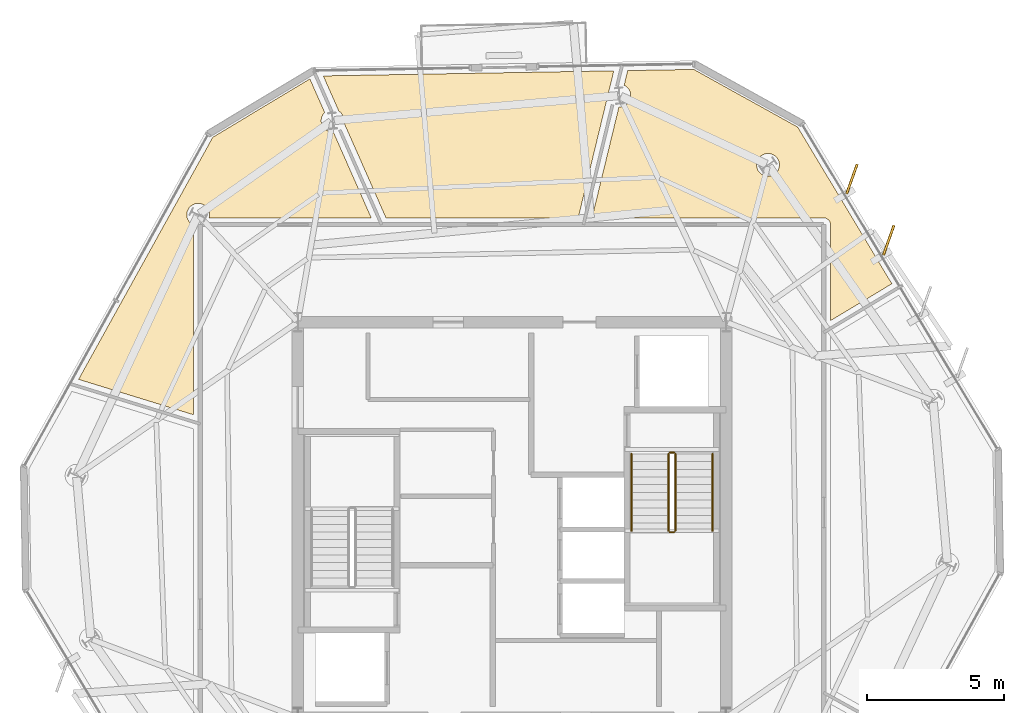
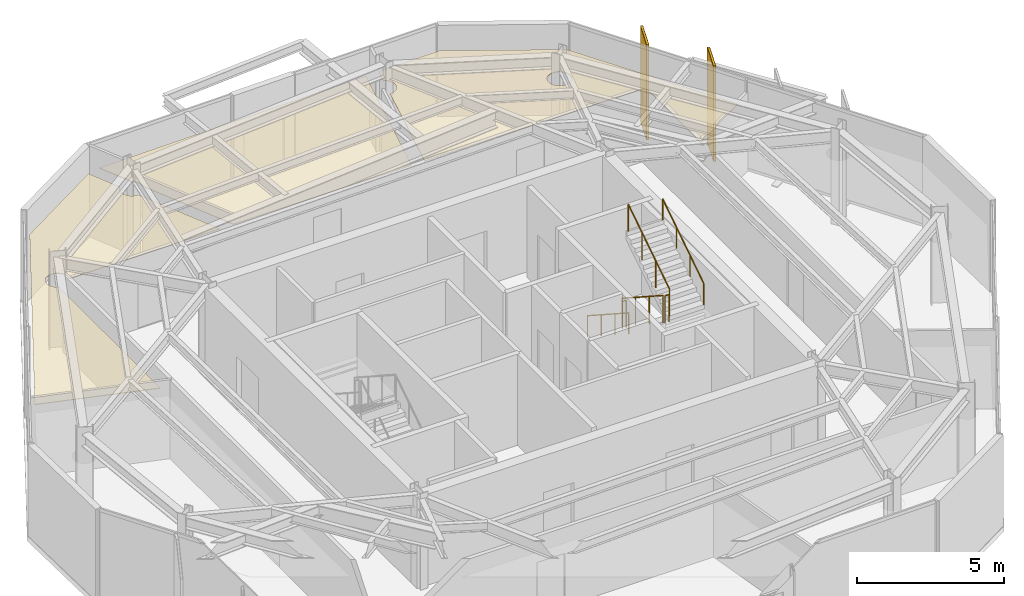
# One storey, part 11 of 12: 6 railings, 5 coverings, 2 shading devices.
"""IFC4 building model written with IfcOpenShell, lengths in metres."""

from ifc_helpers import new_model, si_unit, direction, frame, origin, origin_2d, place, context, subcontext, project, spatial, polyline, rectangle, circle, outline, extrude, material, layer, layer_set, type_object, element, save


model = new_model("IFC4")

# Units and contexts
model_context = context("Model", 3, precision=1e-05, world=origin(), true_north=direction((0.0, 1.0)))
body_context = subcontext(model_context, "Body", "Model", "MODEL_VIEW")
ifc_project = project(units=[si_unit("LENGTHUNIT", "METRE"), si_unit("AREAUNIT", "SQUARE_METRE"), si_unit("VOLUMEUNIT", "CUBIC_METRE"), si_unit("PLANEANGLEUNIT", "RADIAN"), si_unit("MASSUNIT", "GRAM", prefix="KILO")], contexts=[model_context])

# Site, building, storey
site_placement = place(None, origin())
site = spatial("IfcSite", under=ifc_project, at=site_placement, CompositionType="ELEMENT")
building_placement = place(site_placement, origin())
building = spatial("IfcBuilding", under=site, at=building_placement, Name="Kranzbogen Civic Tower", CompositionType="ELEMENT")
storey_placement = place(building_placement, frame((0.0, 0.0, 270.199951171875)))
storey = spatial("IfcBuildingStorey", under=building, at=storey_placement, Name="L65", CompositionType="ELEMENT", Elevation=270.199951171875)

# Coverings
ifc_material_1 = material(Name="Pale Anodised Aluminium", Category="aluminium")
ifc_layer_1 = layer(ifc_material_1, 0.02490234375, Name="Pale Anodised Aluminium")
ifc_layer_set_1 = layer_set([ifc_layer_1], Name="Pale Anodised Aluminium")
covering_type_1 = type_object("IfcCoveringType", Name="Anodised Aluminium Vertical Fin Cladding 25 mm", PredefinedType="CLADDING", material=ifc_layer_set_1)
for number, where, z_axis, x_axis, name in (
    (1, (38.716064453125, 35.18408203125, -0.139892578125), (0.0, 0.0, 1.0), (0.334596447491, 0.942361510953, 0.0), "L65 vertical fin pale-metal cladding F6-3"),
    (2, (37.376953125, 37.4130859375, -0.139892578125), (0.0, 0.0, 1.0), (0.334596447491, 0.942361510953, 0.0), "L65 vertical fin pale-metal cladding F6-4"),
):
    element("IfcCovering", number, at=place(storey_placement, frame(where, z_axis=z_axis, x_axis=x_axis)), inside=storey, type_object=covering_type_1, Name=name, PredefinedType="CLADDING", context=body_context, shape_type="SweptSolid", body=[
        extrude(rectangle(XDim=1.14990234375, YDim=0.094970703125, at=origin_2d()), origin(), (0.0, 0.0, 1.0), 3.9599609375),
    ])

# Railings
ifc_material_2 = material(Name="Steel S355", Category="steel")
railing_type_1 = type_object("IfcRailingType", Name="Internal Stair and Void Steel Guardrail 1150", PredefinedType="GUARDRAIL", material=ifc_material_2)
railing_1_placement = place(storey_placement, frame((30.699951171875, 27.39990234375, 0.181884765625)))
element("IfcRailing", 3, at=railing_1_placement, inside=storey, type_object=railing_type_1, Name="L65 ST-T2 stair guard 1", PredefinedType="GUARDRAIL", context=body_context, shape_type="SweptSolid", body=[
    extrude(circle(Radius=0.02392578125, at=origin_2d()), frame((0.0, 0.0, 1.1259765625), z_axis=(0.0, -0.83868413941, 0.544618136222), x_axis=(1.0, 0.0, 0.0)), (0.0, 0.0, 1.0), 3.33837890625),
    extrude(circle(Radius=0.02099609375, at=origin_2d()), origin(), (0.0, 0.0, 1.0), 1.101806640625),
    extrude(circle(Radius=0.02099609375, at=origin_2d()), frame((0.0, -0.933349609375, 0.60595703125)), (0.0, 0.0, 1.0), 1.101806640625),
    extrude(circle(Radius=0.02099609375, at=origin_2d()), frame((0.0, -1.866455078125, 1.212158203125)), (0.0, 0.0, 1.0), 1.101806640625),
    extrude(circle(Radius=0.02099609375, at=origin_2d()), frame((0.0, -2.7998046875, 1.818115234375)), (0.0, 0.0, 1.0), 1.101806640625),
])
railing_2_placement = place(storey_placement, frame((30.75, 24.550048828125, 2.0)))
element("IfcRailing", 4, at=railing_2_placement, inside=storey, type_object=railing_type_1, Name="L65 ST-T2 stair guard 2", PredefinedType="GUARDRAIL", context=body_context, shape_type="SweptSolid", body=[
    extrude(circle(Radius=0.02392578125, at=origin_2d()), frame((0.0, 0.0, 1.1259765625), z_axis=(1.0, 0.0, 0.0), x_axis=(0.0, 1.0, 0.0)), (0.0, 0.0, 1.0), 0.14990234375),
    extrude(circle(Radius=0.02099609375, at=origin_2d()), origin(), (0.0, 0.0, 1.0), 1.101806640625),
    extrude(circle(Radius=0.02099609375, at=origin_2d()), frame((0.14990234375, 0.0, 0.0)), (0.0, 0.0, 1.0), 1.101806640625),
])
railing_3_placement = place(storey_placement, frame((30.949951171875, 24.60009765625, 2.181884765625)))
element("IfcRailing", 5, at=railing_3_placement, inside=storey, type_object=railing_type_1, Name="L65 ST-T2 stair guard 3", PredefinedType="GUARDRAIL", context=body_context, shape_type="SweptSolid", body=[
    extrude(circle(Radius=0.02392578125, at=origin_2d()), frame((0.0, 0.0, 1.1259765625), z_axis=(0.0, 0.83868413941, 0.544618136222), x_axis=(-1.0, 0.0, 0.0)), (0.0, 0.0, 1.0), 3.33837890625),
    extrude(circle(Radius=0.02099609375, at=origin_2d()), origin(), (0.0, 0.0, 1.0), 1.101806640625),
    extrude(circle(Radius=0.02099609375, at=origin_2d()), frame((0.0, 0.933349609375, 0.60595703125)), (0.0, 0.0, 1.0), 1.101806640625),
    extrude(circle(Radius=0.02099609375, at=origin_2d()), frame((0.0, 1.866455078125, 1.212158203125)), (0.0, 0.0, 1.0), 1.101806640625),
    extrude(circle(Radius=0.02099609375, at=origin_2d()), frame((0.0, 2.7998046875, 1.818115234375)), (0.0, 0.0, 1.0), 1.101806640625),
])
railing_4_placement = place(storey_placement, frame((30.75, 27.449951171875, 0.0)))
element("IfcRailing", 6, at=railing_4_placement, inside=storey, type_object=railing_type_1, Name="L65 ST-T2 stair guard 4", PredefinedType="GUARDRAIL", context=body_context, shape_type="SweptSolid", body=[
    extrude(circle(Radius=0.02392578125, at=origin_2d()), frame((0.0, 0.0, 1.1259765625), z_axis=(1.0, 0.0, 0.0), x_axis=(0.0, 1.0, 0.0)), (0.0, 0.0, 1.0), 0.14990234375),
    extrude(circle(Radius=0.02099609375, at=origin_2d()), origin(), (0.0, 0.0, 1.0), 1.101806640625),
    extrude(circle(Radius=0.02099609375, at=origin_2d()), frame((0.14990234375, 0.0, 0.0)), (0.0, 0.0, 1.0), 1.101806640625),
])

# Shading devices
shading_device_type = type_object("IfcShadingDeviceType", Name="Pale Anodised Aluminium Crown Fin 1150x75", PredefinedType="USERDEFINED", material=ifc_material_1)
for number, where, z_axis, x_axis, name in (
    (7, (38.716064453125, 35.18408203125, -0.139892578125), (0.0, 0.0, 1.0), (0.334596447491, 0.942361510953, 0.0), "L65 vertical exterior shading fin F6-3"),
    (8, (37.376953125, 37.4130859375, -0.139892578125), (0.0, 0.0, 1.0), (0.334596447491, 0.942361510953, 0.0), "L65 vertical exterior shading fin F6-4"),
):
    element("IfcShadingDevice", number, at=place(storey_placement, frame(where, z_axis=z_axis, x_axis=x_axis)), inside=storey, type_object=shading_device_type, Name=name, ObjectType="FIN", PredefinedType="USERDEFINED", context=body_context, shape_type="SweptSolid", body=[
        extrude(rectangle(XDim=1.14990234375, YDim=0.074951171875, at=origin_2d()), origin(), (0.0, 0.0, 1.0), 3.9599609375),
    ])

# Coverings
ifc_material_3 = material(Name="Perforated Acoustic Gypsum Ceiling")
ifc_layer_2 = layer(ifc_material_3, 0.02490234375, Name="Perforated Acoustic Gypsum Ceiling")
ifc_layer_set_2 = layer_set([ifc_layer_2], Name="Perforated Acoustic Gypsum Ceiling")
covering_type_2 = type_object("IfcCoveringType", Name="Perforated Acoustic Mineral Ceiling Tile 25 mm", PredefinedType="CEILING", material=ifc_layer_set_2)
covering_1_placement = place(storey_placement, frame((0.0, 0.0, 2.75)))
element("IfcCovering", 9, at=covering_1_placement, inside=storey, type_object=covering_type_2, Name="L65 Hospitality Catering Kitchen acoustic ceiling", PredefinedType="CEILING", context=body_context, shape_type="SweptSolid", body=[
    extrude(outline(polyline([(18.876953125, 39.470947265625), (18.8798828125, 39.4951171875), (18.882080078125, 39.535888671875), (18.8798828125, 39.576904296875), (18.8740234375, 39.616943359375), (18.864990234375, 39.656982421875), (18.85107421875, 39.695068359375), (18.8330078125, 39.73193359375), (18.81201171875, 39.76708984375), (18.7880859375, 39.800048828125), (18.760986328125, 39.830078125), (18.73095703125, 39.85693359375), (18.697998046875, 39.881103515625), (18.695068359375, 39.883056640625), (18.1279296875, 41.166015625), (28.70703125, 41.35107421875), (28.530029296875, 40.618896484375), (28.52490234375, 40.60888671875), (28.510986328125, 40.571044921875), (28.501953125, 40.531005859375), (28.49609375, 40.490966796875), (28.4951171875, 40.472900390625), (27.409912109375, 35.9951171875), (20.412109375, 35.9951171875), (18.876953125, 39.470947265625)])), origin(), (0.0, 0.0, 1.0), 0.025146484375),
])
covering_2_placement = place(storey_placement, frame((0.0, 0.0, 2.75)))
element("IfcCovering", 10, at=covering_2_placement, inside=storey, type_object=covering_type_2, Name="L65 Refreshment Galley Pantry acoustic ceiling", PredefinedType="CEILING", context=body_context, shape_type="SweptSolid", body=[
    extrude(outline(polyline([(36.594970703125, 35.75), (36.594970703125, 35.759033203125), (36.593994140625, 35.764892578125), (36.593017578125, 35.782958984375), (36.592041015625, 35.7890625), (36.587890625, 35.805908203125), (36.5869140625, 35.81298828125), (36.58203125, 35.830078125), (36.580078125, 35.8359375), (36.572998046875, 35.85205078125), (36.570068359375, 35.85791015625), (36.56201171875, 35.873046875), (36.55810546875, 35.87890625), (36.549072265625, 35.89306640625), (36.544921875, 35.89794921875), (36.533935546875, 35.912109375), (36.529052734375, 35.9169921875), (36.51708984375, 35.928955078125), (36.511962890625, 35.93408203125), (36.498046875, 35.945068359375), (36.492919921875, 35.948974609375), (36.47900390625, 35.9580078125), (36.472900390625, 35.9619140625), (36.4580078125, 35.969970703125), (36.451904296875, 35.972900390625), (36.43603515625, 35.97998046875), (36.429931640625, 35.98193359375), (36.4130859375, 35.987060546875), (36.406005859375, 35.988037109375), (36.388916015625, 35.991943359375), (36.383056640625, 35.992919921875), (36.364990234375, 35.993896484375), (36.35888671875, 35.9951171875), (36.35009765625, 35.9951171875), (27.9140625, 35.9951171875), (28.89306640625, 40.034912109375), (28.908935546875, 40.034912109375), (28.949951171875, 40.037109375), (28.989990234375, 40.04296875), (29.030029296875, 40.052001953125), (29.068115234375, 40.06591796875), (29.10498046875, 40.083984375), (29.139892578125, 40.10498046875), (29.173095703125, 40.12890625), (29.202880859375, 40.156005859375), (29.22998046875, 40.18603515625), (29.25390625, 40.218994140625), (29.27490234375, 40.25390625), (29.29296875, 40.291015625), (29.306884765625, 40.3291015625), (29.31591796875, 40.368896484375), (29.322021484375, 40.408935546875), (29.323974609375, 40.449951171875), (29.322021484375, 40.490966796875), (29.31591796875, 40.531005859375), (29.306884765625, 40.571044921875), (29.29296875, 40.60888671875), (29.27490234375, 40.64599609375), (29.25390625, 40.680908203125), (29.22998046875, 40.714111328125), (29.202880859375, 40.743896484375), (29.173095703125, 40.77099609375), (29.139892578125, 40.794921875), (29.10498046875, 40.81591796875), (29.083984375, 40.825927734375), (29.212890625, 41.360107421875), (31.618896484375, 41.402099609375), (35.402099609375, 39.303955078125), (38.83203125, 33.596923828125), (36.594970703125, 32.2529296875), (36.594970703125, 35.75)]), holes=[polyline([(34.7060546875, 37.76708984375), (34.68798828125, 37.72998046875), (34.6669921875, 37.695068359375), (34.64306640625, 37.662109375), (34.615966796875, 37.632080078125), (34.5859375, 37.60498046875), (34.552978515625, 37.5810546875), (34.51806640625, 37.56005859375), (34.48095703125, 37.5419921875), (34.443115234375, 37.528076171875), (34.403076171875, 37.51904296875), (34.363037109375, 37.512939453125), (34.322021484375, 37.510986328125), (34.281005859375, 37.512939453125), (34.240966796875, 37.51904296875), (34.200927734375, 37.528076171875), (34.1630859375, 37.5419921875), (34.1259765625, 37.56005859375), (34.091064453125, 37.5810546875), (34.05810546875, 37.60498046875), (34.028076171875, 37.632080078125), (34.0009765625, 37.662109375), (33.97705078125, 37.695068359375), (33.9560546875, 37.72998046875), (33.93798828125, 37.76708984375), (33.924072265625, 37.804931640625), (33.9150390625, 37.844970703125), (33.908935546875, 37.885009765625), (33.906982421875, 37.926025390625), (33.908935546875, 37.967041015625), (33.9150390625, 38.007080078125), (33.924072265625, 38.047119140625), (33.93798828125, 38.0849609375), (33.9560546875, 38.1220703125), (33.97705078125, 38.156982421875), (34.0009765625, 38.18994140625), (34.028076171875, 38.219970703125), (34.05810546875, 38.2470703125), (34.091064453125, 38.27099609375), (34.1259765625, 38.2919921875), (34.1630859375, 38.31005859375), (34.200927734375, 38.323974609375), (34.240966796875, 38.3330078125), (34.281005859375, 38.339111328125), (34.322021484375, 38.341064453125), (34.363037109375, 38.339111328125), (34.403076171875, 38.3330078125), (34.443115234375, 38.323974609375), (34.48095703125, 38.31005859375), (34.51806640625, 38.2919921875), (34.552978515625, 38.27099609375), (34.5859375, 38.2470703125), (34.615966796875, 38.219970703125), (34.64306640625, 38.18994140625), (34.6669921875, 38.156982421875), (34.68798828125, 38.1220703125), (34.7060546875, 38.0849609375), (34.719970703125, 38.047119140625), (34.72900390625, 38.007080078125), (34.735107421875, 37.967041015625), (34.737060546875, 37.926025390625), (34.735107421875, 37.885009765625), (34.72900390625, 37.844970703125), (34.719970703125, 37.804931640625), (34.7060546875, 37.76708984375)])]), origin(), (0.0, 0.0, 1.0), 0.025146484375),
])
covering_3_placement = place(storey_placement, frame((0.0, 0.0, 2.75)))
element("IfcCovering", 11, at=covering_3_placement, inside=storey, type_object=covering_type_2, Name="L65 Ministerial Policy Office acoustic ceiling", PredefinedType="CEILING", context=body_context, shape_type="SweptSolid", body=[
    extrude(outline(polyline([(17.64111328125, 41.056884765625), (18.179931640625, 39.8359375), (18.173095703125, 39.830078125), (18.14599609375, 39.800048828125), (18.1220703125, 39.76708984375), (18.10107421875, 39.73193359375), (18.0830078125, 39.695068359375), (18.069091796875, 39.656982421875), (18.06005859375, 39.616943359375), (18.053955078125, 39.576904296875), (18.052001953125, 39.535888671875), (18.053955078125, 39.4951171875), (18.06005859375, 39.455078125), (18.069091796875, 39.4150390625), (18.0830078125, 39.376953125), (18.10107421875, 39.340087890625), (18.1220703125, 39.304931640625), (18.14599609375, 39.27197265625), (18.173095703125, 39.241943359375), (18.202880859375, 39.215087890625), (18.236083984375, 39.19091796875), (18.27099609375, 39.169921875), (18.30810546875, 39.152099609375), (18.345947265625, 39.137939453125), (18.385986328125, 39.12890625), (18.426025390625, 39.123046875), (18.467041015625, 39.12109375), (18.4951171875, 39.1220703125), (19.8759765625, 35.9951171875), (13.97412109375, 35.9951171875), (13.98193359375, 36.029052734375), (13.988037109375, 36.069091796875), (13.989990234375, 36.110107421875), (13.988037109375, 36.15087890625), (13.98193359375, 36.19091796875), (13.972900390625, 36.23095703125), (13.958984375, 36.26904296875), (13.94091796875, 36.305908203125), (13.919921875, 36.341064453125), (13.89599609375, 36.3740234375), (13.868896484375, 36.404052734375), (13.839111328125, 36.430908203125), (13.805908203125, 36.455078125), (13.77099609375, 36.47607421875), (13.73388671875, 36.493896484375), (13.696044921875, 36.508056640625), (13.656005859375, 36.51708984375), (13.615966796875, 36.52294921875), (13.574951171875, 36.52490234375), (13.533935546875, 36.52294921875), (13.493896484375, 36.51708984375), (13.4541015625, 36.508056640625), (13.416015625, 36.493896484375), (13.37890625, 36.47607421875), (13.343994140625, 36.455078125), (13.31103515625, 36.430908203125), (13.281005859375, 36.404052734375), (13.25390625, 36.3740234375), (13.22998046875, 36.341064453125), (13.208984375, 36.305908203125), (13.19091796875, 36.26904296875), (13.177001953125, 36.23095703125), (13.16796875, 36.19091796875), (13.162109375, 36.15087890625), (13.159912109375, 36.110107421875), (13.162109375, 36.069091796875), (13.16796875, 36.029052734375), (13.177001953125, 35.989013671875), (13.19091796875, 35.950927734375), (13.208984375, 35.9140625), (13.22998046875, 35.87890625), (13.25390625, 35.845947265625), (13.281005859375, 35.81591796875), (13.31103515625, 35.7890625), (13.343994140625, 35.764892578125), (13.37890625, 35.743896484375), (13.405029296875, 35.73095703125), (13.405029296875, 28.826904296875), (9.218017578125, 30.115966796875), (14.10498046875, 38.931884765625), (17.64111328125, 41.056884765625)])), origin(), (0.0, 0.0, 1.0), 0.025146484375),
])

# Railings
railing_type_2 = type_object("IfcRailingType", Name="Tubular Stainless Stair Wall Handrail 900", PredefinedType="HANDRAIL", material=ifc_material_1)
railing_5_placement = place(storey_placement, frame((29.35009765625, 27.39990234375, 0.181884765625)))
element("IfcRailing", 12, at=railing_5_placement, inside=storey, type_object=railing_type_2, Name="L65 ST-T2 stair handrail 1", PredefinedType="HANDRAIL", context=body_context, shape_type="SweptSolid", body=[
    extrude(circle(Radius=0.02392578125, at=origin_2d()), frame((0.0, 0.0, 0.8759765625), z_axis=(0.0, -0.83868413941, 0.544618136222), x_axis=(1.0, 0.0, 0.0)), (0.0, 0.0, 1.0), 3.33837890625),
    extrude(circle(Radius=0.02099609375, at=origin_2d()), origin(), (0.0, 0.0, 1.0), 0.851806640625),
    extrude(circle(Radius=0.02099609375, at=origin_2d()), frame((0.0, -0.933349609375, 0.60595703125)), (0.0, 0.0, 1.0), 0.851806640625),
    extrude(circle(Radius=0.02099609375, at=origin_2d()), frame((0.0, -1.866455078125, 1.212158203125)), (0.0, 0.0, 1.0), 0.851806640625),
    extrude(circle(Radius=0.02099609375, at=origin_2d()), frame((0.0, -2.7998046875, 1.818115234375)), (0.0, 0.0, 1.0), 0.851806640625),
])
railing_6_placement = place(storey_placement, frame((32.300048828125, 24.60009765625, 2.181884765625)))
element("IfcRailing", 13, at=railing_6_placement, inside=storey, type_object=railing_type_2, Name="L65 ST-T2 stair handrail 2", PredefinedType="HANDRAIL", context=body_context, shape_type="SweptSolid", body=[
    extrude(circle(Radius=0.02392578125, at=origin_2d()), frame((0.0, 0.0, 0.8759765625), z_axis=(0.0, 0.83868413941, 0.544618136222), x_axis=(-1.0, 0.0, 0.0)), (0.0, 0.0, 1.0), 3.33837890625),
    extrude(circle(Radius=0.02099609375, at=origin_2d()), origin(), (0.0, 0.0, 1.0), 0.851806640625),
    extrude(circle(Radius=0.02099609375, at=origin_2d()), frame((0.0, 0.933349609375, 0.60595703125)), (0.0, 0.0, 1.0), 0.851806640625),
    extrude(circle(Radius=0.02099609375, at=origin_2d()), frame((0.0, 1.866455078125, 1.212158203125)), (0.0, 0.0, 1.0), 0.851806640625),
    extrude(circle(Radius=0.02099609375, at=origin_2d()), frame((0.0, 2.7998046875, 1.818115234375)), (0.0, 0.0, 1.0), 0.851806640625),
])

save(model, "model.ifc")
